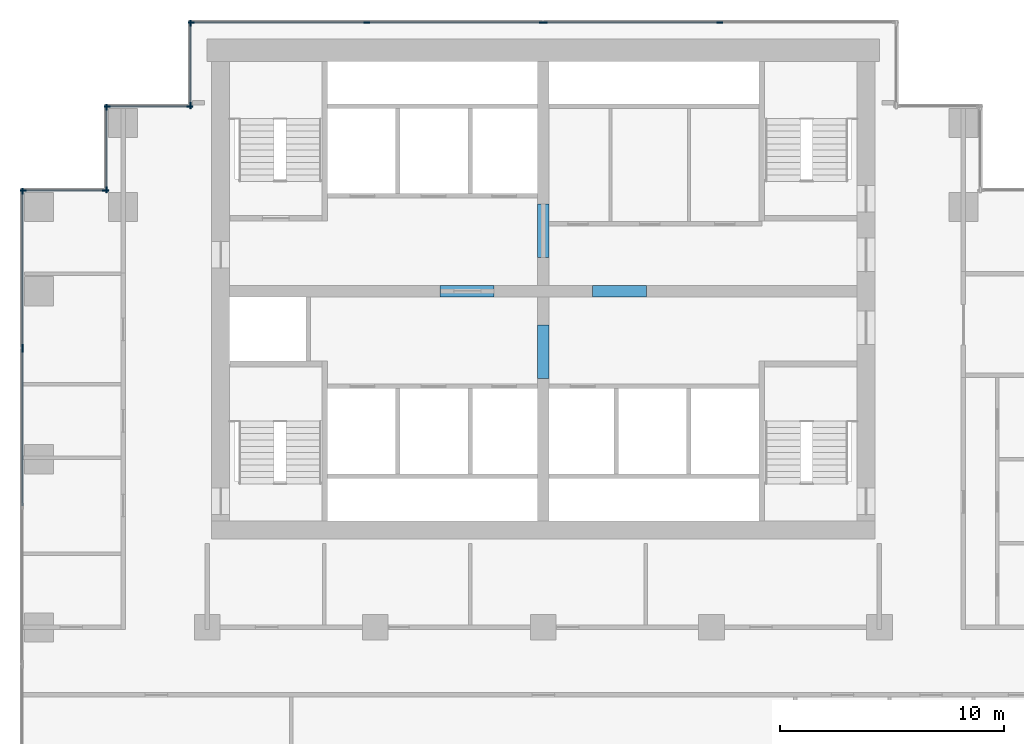
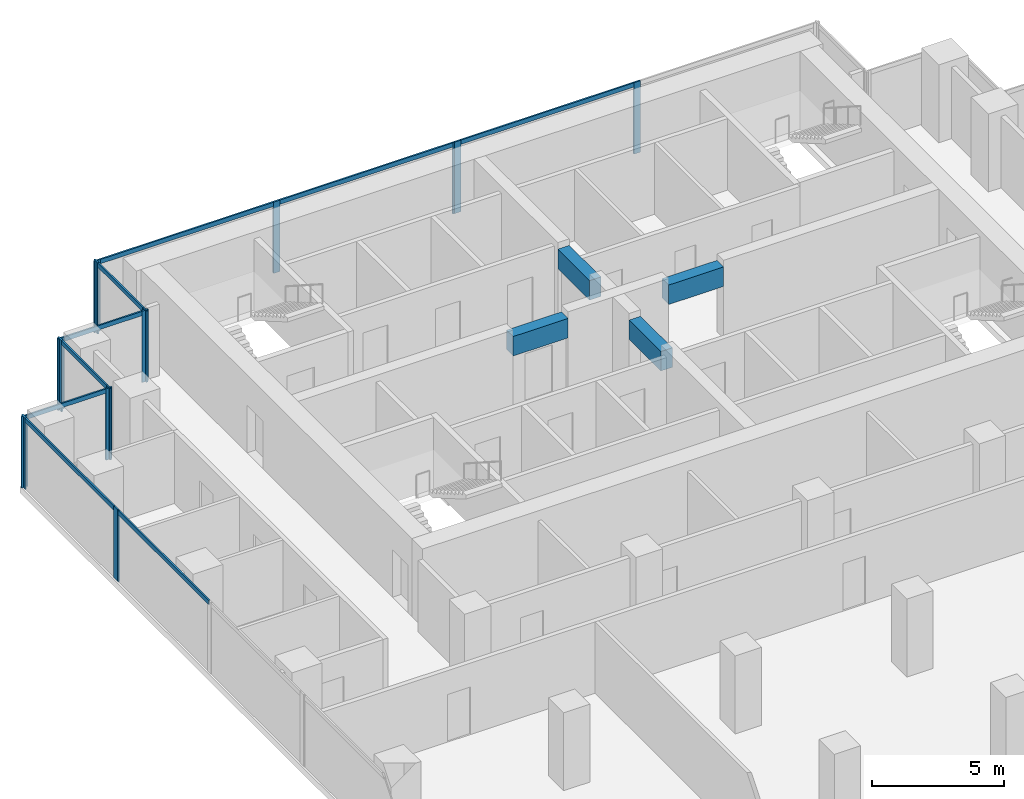
# One storey, part 4 of 10: 25 members, 4 beams, 8 elements without a shape of their own.
"""IFC4 building model written with IfcOpenShell, lengths in metres."""

from ifc_helpers import new_model, si_unit, direction, frame, origin, origin_2d, place, context, subcontext, project, spatial, rectangle, extrude, material, material_profile, profile_set, type_object, element, aggregate, save


model = new_model("IFC4")

# Units and contexts
model_context = context("Model", 3, precision=1e-05, world=origin(), true_north=direction((0.0, 1.0)))
body_context = subcontext(model_context, "Body", "Model", "MODEL_VIEW")
ifc_project = project(units=[si_unit("LENGTHUNIT", "METRE"), si_unit("AREAUNIT", "SQUARE_METRE"), si_unit("VOLUMEUNIT", "CUBIC_METRE"), si_unit("PLANEANGLEUNIT", "RADIAN"), si_unit("MASSUNIT", "GRAM", prefix="KILO")], contexts=[model_context])

# Site, building, storey
site_placement = place(None, origin())
site = spatial("IfcSite", under=ifc_project, at=site_placement, CompositionType="ELEMENT")
building_placement = place(site_placement, origin())
building = spatial("IfcBuilding", under=site, at=building_placement, Name="Pilkhan Gate Tower", CompositionType="ELEMENT")
storey_placement = place(building_placement, frame((0.0, 0.0, 110.800048828125)))
storey = spatial("IfcBuildingStorey", under=building, at=storey_placement, Name="L27", CompositionType="ELEMENT", Elevation=110.800048828125)

# Beams
ifc_material_1 = material(Name="Concrete C60/75", Category="concrete")
ifc_material_profile_1 = material_profile(ifc_material_1, rectangle(XDim=0.5, YDim=0.89990234375, at=origin_2d()), Name="RC 500x900")
ifc_profile_set_1 = profile_set([ifc_material_profile_1], Name="Concrete C60/75")
beam_type = type_object("IfcBeamType", Name="Coupling beam CB90 RC 500x900 C60/75", PredefinedType="LINTEL", material=ifc_profile_set_1)
for number, where, z_axis, x_axis, name in (
    (1, (70.39990234375, 82.5, 2.849853515625), (1.0, 0.0, 0.0), (0.0, 1.0, 0.0), "Coupling beam 1 L27"),
    (2, (77.199951171875, 82.5, 2.849853515625), (1.0, 0.0, 0.0), (0.0, 1.0, 0.0), "Coupling beam 2 L27"),
):
    element("IfcBeam", number, at=place(storey_placement, frame(where, z_axis=z_axis, x_axis=x_axis)), inside=storey, type_object=beam_type, Name=name, PredefinedType="LINTEL", context=body_context, shape_type="SweptSolid", body=[
        extrude(rectangle(XDim=0.5, YDim=0.89990234375, at=origin_2d()), origin(), (0.0, 0.0, 1.0), 2.400146484375),
    ])
for number, where, z_axis, x_axis, name in (
    (3, (75.0, 78.60009765625, 2.849853515625), (0.0, 1.0, 0.0), (-1.0, 0.0, 0.0), "Coupling beam 3 L27"),
    (4, (75.0, 84.0, 2.849853515625), (0.0, 1.0, 0.0), (-1.0, 0.0, 0.0), "Coupling beam 4 L27"),
):
    element("IfcBeam", number, at=place(storey_placement, frame(where, z_axis=z_axis, x_axis=x_axis)), inside=storey, type_object=beam_type, Name=name, PredefinedType="LINTEL", context=body_context, shape_type="SweptSolid", body=[
        extrude(rectangle(XDim=0.5, YDim=0.89990234375, at=origin_2d()), origin(), (0.0, 0.0, 1.0), 2.39990234375),
    ])

# Curtain wall, members
ifc_material_2 = material(Name="Pale anodised aluminium, clear low-iron double glazing", Category="aluminium")
curtain_wall_type = type_object("IfcCurtainWallType", Name="Office unitised curtain wall CW-O1", PredefinedType="USERDEFINED", material=ifc_material_2)
curtain_wall_1_placement = place(storey_placement, origin())
curtain_wall_1 = element("IfcCurtainWall", 5, at=curtain_wall_1_placement, inside=storey, type_object=curtain_wall_type, Name="Office unitised curtain wall CW-O1 L27 N", ObjectType="UNITISED CURTAIN WALL", PredefinedType="USERDEFINED")
ifc_material_3 = material(Name="Pale anodised aluminium", Category="aluminium")
ifc_material_profile_2 = material_profile(ifc_material_3, rectangle(XDim=0.070068359375, YDim=0.27490234375, at=origin_2d()), Name="Mullion 275x70")
ifc_profile_set_2 = profile_set([ifc_material_profile_2], Name="Pale anodised aluminium")
member_type_1 = type_object("IfcMemberType", Name="Mullion CW-O1 275x70", PredefinedType="MULLION", material=ifc_profile_set_2)
member_1_placement = place(storey_placement, frame((59.284912109375, 94.5, 0.0), z_axis=(0.0, 0.0, 1.0), x_axis=(0.0, 1.0, 0.0)))
member_1 = element("IfcMember", 6, at=member_1_placement, type_object=member_type_1, Name="CW-O1 mullion 1", PredefinedType="MULLION", context=body_context, shape_type="SweptSolid", body=[
    extrude(rectangle(XDim=0.070068359375, YDim=0.27490234375, at=origin_2d()), origin(), (0.0, 0.0, 1.0), 3.300048828125),
])
member_2_placement = place(storey_placement, frame((67.125, 94.5, 0.0), z_axis=(0.0, 0.0, 1.0), x_axis=(0.0, 1.0, 0.0)))
member_2 = element("IfcMember", 7, at=member_2_placement, type_object=member_type_1, Name="CW-O1 mullion 2", PredefinedType="MULLION", context=body_context, shape_type="SweptSolid", body=[
    extrude(rectangle(XDim=0.070068359375, YDim=0.27490234375, at=origin_2d()), origin(), (0.0, 0.0, 1.0), 3.300048828125),
])
member_3_placement = place(storey_placement, frame((74.965087890625, 94.5, 0.0), z_axis=(0.0, 0.0, 1.0), x_axis=(0.0, 1.0, 0.0)))
member_3 = element("IfcMember", 8, at=member_3_placement, type_object=member_type_1, Name="CW-O1 mullion 3", PredefinedType="MULLION", context=body_context, shape_type="SweptSolid", body=[
    extrude(rectangle(XDim=0.070068359375, YDim=0.27490234375, at=origin_2d()), origin(), (0.0, 0.0, 1.0), 3.300048828125),
])

curtain_wall_2_placement = place(storey_placement, origin())
curtain_wall_2 = element("IfcCurtainWall", 9, at=curtain_wall_2_placement, inside=storey, type_object=curtain_wall_type, Name="Office unitised curtain wall CW-O1 L27 N", ObjectType="UNITISED CURTAIN WALL", PredefinedType="USERDEFINED")
member_4_placement = place(storey_placement, frame((75.034912109375, 94.5, 0.0), z_axis=(0.0, 0.0, 1.0), x_axis=(0.0, 1.0, 0.0)))
member_4 = element("IfcMember", 10, at=member_4_placement, type_object=member_type_1, Name="CW-O1 mullion 1", PredefinedType="MULLION", context=body_context, shape_type="SweptSolid", body=[
    extrude(rectangle(XDim=0.070068359375, YDim=0.27490234375, at=origin_2d()), origin(), (0.0, 0.0, 1.0), 3.300048828125),
])
member_5_placement = place(storey_placement, frame((82.875, 94.5, 0.0), z_axis=(0.0, 0.0, 1.0), x_axis=(0.0, 1.0, 0.0)))
member_5 = element("IfcMember", 11, at=member_5_placement, type_object=member_type_1, Name="CW-O1 mullion 2", PredefinedType="MULLION", context=body_context, shape_type="SweptSolid", body=[
    extrude(rectangle(XDim=0.070068359375, YDim=0.27490234375, at=origin_2d()), origin(), (0.0, 0.0, 1.0), 3.300048828125),
])

curtain_wall_3_placement = place(storey_placement, origin())
curtain_wall_3 = element("IfcCurtainWall", 12, at=curtain_wall_3_placement, inside=storey, type_object=curtain_wall_type, Name="Office unitised curtain wall CW-O1 L27 W", ObjectType="UNITISED CURTAIN WALL", PredefinedType="USERDEFINED")
member_6_placement = place(storey_placement, frame((59.25, 90.784912109375, 0.0), z_axis=(0.0, 0.0, 1.0), x_axis=(-1.0, 0.0, 0.0)))
member_6 = element("IfcMember", 13, at=member_6_placement, type_object=member_type_1, Name="CW-O1 mullion 1", PredefinedType="MULLION", context=body_context, shape_type="SweptSolid", body=[
    extrude(rectangle(XDim=0.070068359375, YDim=0.27490234375, at=origin_2d()), origin(), (0.0, 0.0, 1.0), 3.300048828125),
])
member_7_placement = place(storey_placement, frame((59.25, 94.465087890625, 0.0), z_axis=(0.0, 0.0, 1.0), x_axis=(-1.0, 0.0, 0.0)))
member_7 = element("IfcMember", 14, at=member_7_placement, type_object=member_type_1, Name="CW-O1 mullion 2", PredefinedType="MULLION", context=body_context, shape_type="SweptSolid", body=[
    extrude(rectangle(XDim=0.070068359375, YDim=0.27490234375, at=origin_2d()), origin(), (0.0, 0.0, 1.0), 3.300048828125),
])

curtain_wall_4_placement = place(storey_placement, origin())
curtain_wall_4 = element("IfcCurtainWall", 15, at=curtain_wall_4_placement, inside=storey, type_object=curtain_wall_type, Name="Office unitised curtain wall CW-O1 L27 N", ObjectType="UNITISED CURTAIN WALL", PredefinedType="USERDEFINED")
member_8_placement = place(storey_placement, frame((55.534912109375, 90.75, 0.0), z_axis=(0.0, 0.0, 1.0), x_axis=(0.0, 1.0, 0.0)))
member_8 = element("IfcMember", 16, at=member_8_placement, type_object=member_type_1, Name="CW-O1 mullion 1", PredefinedType="MULLION", context=body_context, shape_type="SweptSolid", body=[
    extrude(rectangle(XDim=0.070068359375, YDim=0.27490234375, at=origin_2d()), origin(), (0.0, 0.0, 1.0), 3.300048828125),
])
member_9_placement = place(storey_placement, frame((59.215087890625, 90.75, 0.0), z_axis=(0.0, 0.0, 1.0), x_axis=(0.0, 1.0, 0.0)))
member_9 = element("IfcMember", 17, at=member_9_placement, type_object=member_type_1, Name="CW-O1 mullion 2", PredefinedType="MULLION", context=body_context, shape_type="SweptSolid", body=[
    extrude(rectangle(XDim=0.070068359375, YDim=0.27490234375, at=origin_2d()), origin(), (0.0, 0.0, 1.0), 3.300048828125),
])

curtain_wall_5_placement = place(storey_placement, origin())
curtain_wall_5 = element("IfcCurtainWall", 18, at=curtain_wall_5_placement, inside=storey, type_object=curtain_wall_type, Name="Office unitised curtain wall CW-O1 L27 W", ObjectType="UNITISED CURTAIN WALL", PredefinedType="USERDEFINED")
member_10_placement = place(storey_placement, frame((55.5, 87.034912109375, 0.0), z_axis=(0.0, 0.0, 1.0), x_axis=(-1.0, 0.0, 0.0)))
member_10 = element("IfcMember", 19, at=member_10_placement, type_object=member_type_1, Name="CW-O1 mullion 1", PredefinedType="MULLION", context=body_context, shape_type="SweptSolid", body=[
    extrude(rectangle(XDim=0.070068359375, YDim=0.27490234375, at=origin_2d()), origin(), (0.0, 0.0, 1.0), 3.300048828125),
])
member_11_placement = place(storey_placement, frame((55.5, 90.715087890625, 0.0), z_axis=(0.0, 0.0, 1.0), x_axis=(-1.0, 0.0, 0.0)))
member_11 = element("IfcMember", 20, at=member_11_placement, type_object=member_type_1, Name="CW-O1 mullion 2", PredefinedType="MULLION", context=body_context, shape_type="SweptSolid", body=[
    extrude(rectangle(XDim=0.070068359375, YDim=0.27490234375, at=origin_2d()), origin(), (0.0, 0.0, 1.0), 3.300048828125),
])

curtain_wall_6_placement = place(storey_placement, origin())
curtain_wall_6 = element("IfcCurtainWall", 21, at=curtain_wall_6_placement, inside=storey, type_object=curtain_wall_type, Name="Office unitised curtain wall CW-O1 L27 N", ObjectType="UNITISED CURTAIN WALL", PredefinedType="USERDEFINED")
member_12_placement = place(storey_placement, frame((51.784912109375, 87.0, 0.0), z_axis=(0.0, 0.0, 1.0), x_axis=(0.0, 1.0, 0.0)))
member_12 = element("IfcMember", 22, at=member_12_placement, type_object=member_type_1, Name="CW-O1 mullion 1", PredefinedType="MULLION", context=body_context, shape_type="SweptSolid", body=[
    extrude(rectangle(XDim=0.070068359375, YDim=0.27490234375, at=origin_2d()), origin(), (0.0, 0.0, 1.0), 3.300048828125),
])
member_13_placement = place(storey_placement, frame((55.465087890625, 87.0, 0.0), z_axis=(0.0, 0.0, 1.0), x_axis=(0.0, 1.0, 0.0)))
member_13 = element("IfcMember", 23, at=member_13_placement, type_object=member_type_1, Name="CW-O1 mullion 2", PredefinedType="MULLION", context=body_context, shape_type="SweptSolid", body=[
    extrude(rectangle(XDim=0.070068359375, YDim=0.27490234375, at=origin_2d()), origin(), (0.0, 0.0, 1.0), 3.300048828125),
])

# Curtain wall, member
curtain_wall_7_placement = place(storey_placement, origin())
curtain_wall_7 = element("IfcCurtainWall", 24, at=curtain_wall_7_placement, inside=storey, type_object=curtain_wall_type, Name="Office unitised curtain wall CW-O1 L27 W", ObjectType="UNITISED CURTAIN WALL", PredefinedType="USERDEFINED")
member_14_placement = place(storey_placement, frame((51.75, 79.9150390625, 0.0), z_axis=(0.0, 0.0, 1.0), x_axis=(-1.0, 0.0, 0.0)))
member_14 = element("IfcMember", 25, at=member_14_placement, type_object=member_type_1, Name="CW-O1 mullion 3", PredefinedType="MULLION", context=body_context, shape_type="SweptSolid", body=[
    extrude(rectangle(XDim=0.070068359375, YDim=0.27490234375, at=origin_2d()), origin(), (0.0, 0.0, 1.0), 3.300048828125),
])

# Curtain wall, members
curtain_wall_8_placement = place(storey_placement, origin())
curtain_wall_8 = element("IfcCurtainWall", 26, at=curtain_wall_8_placement, inside=storey, type_object=curtain_wall_type, Name="Office unitised curtain wall CW-O1 L27 W", ObjectType="UNITISED CURTAIN WALL", PredefinedType="USERDEFINED")
member_15_placement = place(storey_placement, frame((51.75, 79.985107421875, 0.0), z_axis=(0.0, 0.0, 1.0), x_axis=(-1.0, 0.0, 0.0)))
member_15 = element("IfcMember", 27, at=member_15_placement, type_object=member_type_1, Name="CW-O1 mullion 1", PredefinedType="MULLION", context=body_context, shape_type="SweptSolid", body=[
    extrude(rectangle(XDim=0.070068359375, YDim=0.27490234375, at=origin_2d()), origin(), (0.0, 0.0, 1.0), 3.300048828125),
])
member_16_placement = place(storey_placement, frame((51.75, 86.965087890625, 0.0), z_axis=(0.0, 0.0, 1.0), x_axis=(-1.0, 0.0, 0.0)))
member_16 = element("IfcMember", 28, at=member_16_placement, type_object=member_type_1, Name="CW-O1 mullion 2", PredefinedType="MULLION", context=body_context, shape_type="SweptSolid", body=[
    extrude(rectangle(XDim=0.070068359375, YDim=0.27490234375, at=origin_2d()), origin(), (0.0, 0.0, 1.0), 3.300048828125),
])

# Member
ifc_material_profile_3 = material_profile(ifc_material_3, rectangle(XDim=0.070068359375, YDim=0.199951171875, at=origin_2d()), Name="Transom 200x70")
ifc_profile_set_3 = profile_set([ifc_material_profile_3], Name="Pale anodised aluminium")
member_type_2 = type_object("IfcMemberType", Name="Transom CW-O1 200x70", PredefinedType="USERDEFINED", material=ifc_profile_set_3)
member_17_placement = place(storey_placement, frame((59.320068359375, 94.5, 3.199951171875), z_axis=(1.0, 0.0, 0.0), x_axis=(0.0, 1.0, 0.0)))
member_17 = element("IfcMember", 29, at=member_17_placement, type_object=member_type_2, Name="CW-O1 transom 1", ObjectType="TRANSOM", PredefinedType="USERDEFINED", context=body_context, shape_type="SweptSolid", body=[
    extrude(rectangle(XDim=0.070068359375, YDim=0.199951171875, at=origin_2d()), origin(), (0.0, 0.0, 1.0), 7.77001953125),
])

member_18_placement = place(storey_placement, frame((67.159912109375, 94.5, 3.199951171875), z_axis=(1.0, 0.0, 0.0), x_axis=(0.0, 1.0, 0.0)))
member_18 = element("IfcMember", 30, at=member_18_placement, type_object=member_type_2, Name="CW-O1 transom 2", ObjectType="TRANSOM", PredefinedType="USERDEFINED", context=body_context, shape_type="SweptSolid", body=[
    extrude(rectangle(XDim=0.070068359375, YDim=0.199951171875, at=origin_2d()), origin(), (0.0, 0.0, 1.0), 7.77001953125),
])

aggregate(curtain_wall_1, [member_1, member_2, member_3, member_17, member_18])

member_19_placement = place(storey_placement, frame((75.070068359375, 94.5, 3.199951171875), z_axis=(1.0, 0.0, 0.0), x_axis=(0.0, 1.0, 0.0)))
member_19 = element("IfcMember", 31, at=member_19_placement, type_object=member_type_2, Name="CW-O1 transom 1", ObjectType="TRANSOM", PredefinedType="USERDEFINED", context=body_context, shape_type="SweptSolid", body=[
    extrude(rectangle(XDim=0.070068359375, YDim=0.199951171875, at=origin_2d()), origin(), (0.0, 0.0, 1.0), 7.77001953125),
])

aggregate(curtain_wall_2, [member_4, member_5, member_19])

member_20_placement = place(storey_placement, frame((59.25, 90.820068359375, 3.199951171875), z_axis=(0.0, 1.0, 0.0), x_axis=(-1.0, 0.0, 0.0)))
member_20 = element("IfcMember", 32, at=member_20_placement, type_object=member_type_2, Name="CW-O1 transom 1", ObjectType="TRANSOM", PredefinedType="USERDEFINED", context=body_context, shape_type="SweptSolid", body=[
    extrude(rectangle(XDim=0.070068359375, YDim=0.199951171875, at=origin_2d()), origin(), (0.0, 0.0, 1.0), 3.60986328125),
])

aggregate(curtain_wall_3, [member_6, member_7, member_20])

member_21_placement = place(storey_placement, frame((55.570068359375, 90.75, 3.199951171875), z_axis=(1.0, 0.0, 0.0), x_axis=(0.0, 1.0, 0.0)))
member_21 = element("IfcMember", 33, at=member_21_placement, type_object=member_type_2, Name="CW-O1 transom 1", ObjectType="TRANSOM", PredefinedType="USERDEFINED", context=body_context, shape_type="SweptSolid", body=[
    extrude(rectangle(XDim=0.070068359375, YDim=0.199951171875, at=origin_2d()), origin(), (0.0, 0.0, 1.0), 3.60986328125),
])

aggregate(curtain_wall_4, [member_8, member_9, member_21])

member_22_placement = place(storey_placement, frame((55.5, 87.070068359375, 3.199951171875), z_axis=(0.0, 1.0, 0.0), x_axis=(-1.0, 0.0, 0.0)))
member_22 = element("IfcMember", 34, at=member_22_placement, type_object=member_type_2, Name="CW-O1 transom 1", ObjectType="TRANSOM", PredefinedType="USERDEFINED", context=body_context, shape_type="SweptSolid", body=[
    extrude(rectangle(XDim=0.070068359375, YDim=0.199951171875, at=origin_2d()), origin(), (0.0, 0.0, 1.0), 3.60986328125),
])

aggregate(curtain_wall_5, [member_10, member_11, member_22])

member_23_placement = place(storey_placement, frame((51.820068359375, 87.0, 3.199951171875), z_axis=(1.0, 0.0, 0.0), x_axis=(0.0, 1.0, 0.0)))
member_23 = element("IfcMember", 35, at=member_23_placement, type_object=member_type_2, Name="CW-O1 transom 1", ObjectType="TRANSOM", PredefinedType="USERDEFINED", context=body_context, shape_type="SweptSolid", body=[
    extrude(rectangle(XDim=0.070068359375, YDim=0.199951171875, at=origin_2d()), origin(), (0.0, 0.0, 1.0), 3.60986328125),
])

aggregate(curtain_wall_6, [member_12, member_13, member_23])

member_24_placement = place(storey_placement, frame((51.75, 72.93505859375, 3.199951171875), z_axis=(0.0, 1.0, 0.0), x_axis=(-1.0, 0.0, 0.0)))
member_24 = element("IfcMember", 36, at=member_24_placement, type_object=member_type_2, Name="CW-O1 transom 2", ObjectType="TRANSOM", PredefinedType="USERDEFINED", context=body_context, shape_type="SweptSolid", body=[
    extrude(rectangle(XDim=0.070068359375, YDim=0.199951171875, at=origin_2d()), origin(), (0.0, 0.0, 1.0), 6.94482421875),
])

aggregate(curtain_wall_7, [member_14, member_24])

member_25_placement = place(storey_placement, frame((51.75, 80.02001953125, 3.199951171875), z_axis=(0.0, 1.0, 0.0), x_axis=(-1.0, 0.0, 0.0)))
member_25 = element("IfcMember", 37, at=member_25_placement, type_object=member_type_2, Name="CW-O1 transom 1", ObjectType="TRANSOM", PredefinedType="USERDEFINED", context=body_context, shape_type="SweptSolid", body=[
    extrude(rectangle(XDim=0.070068359375, YDim=0.199951171875, at=origin_2d()), origin(), (0.0, 0.0, 1.0), 6.909912109375),
])

aggregate(curtain_wall_8, [member_15, member_16, member_25])

save(model, "model.ifc")
